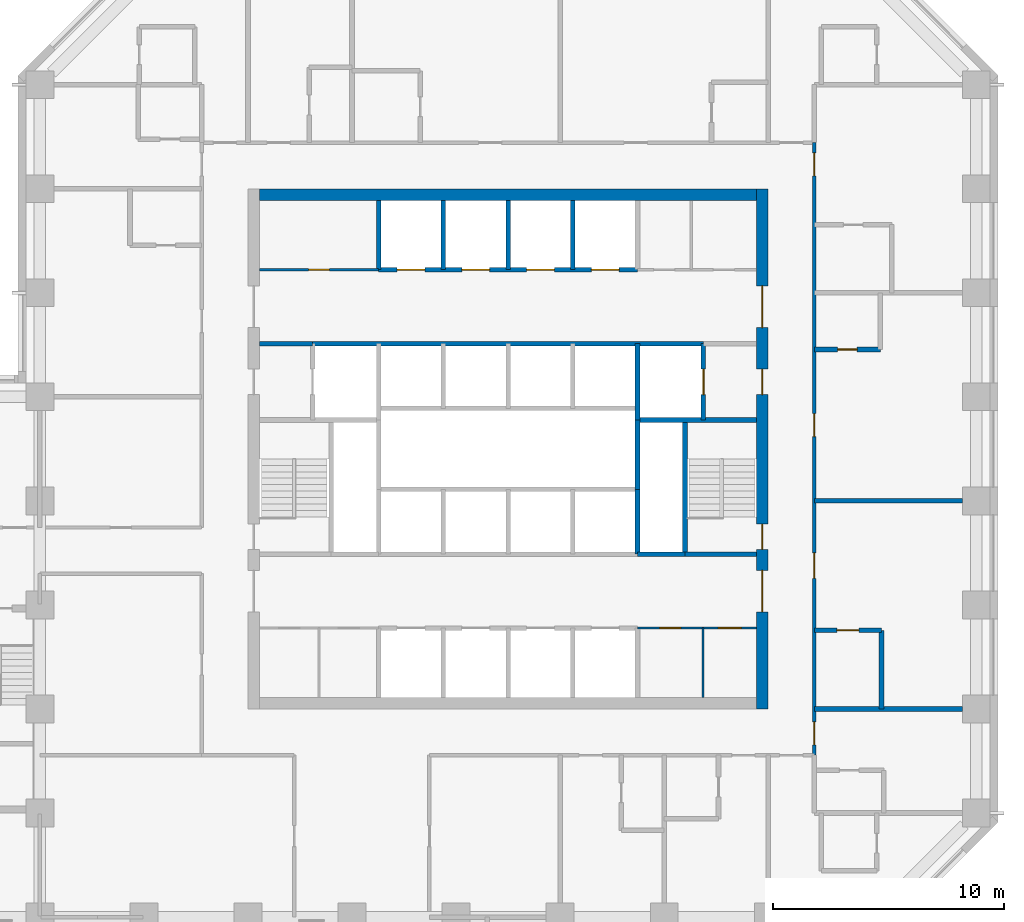
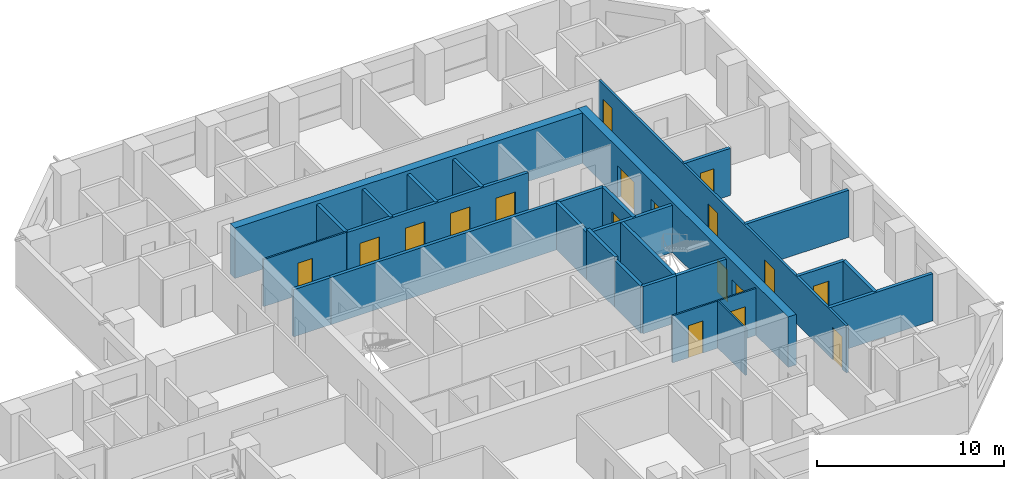
# One storey, part 9 of 13: 26 walls, 18 doors, 18 openings.
"""IFC4 building model written with IfcOpenShell, lengths in metres."""

from ifc_helpers import new_model, si_unit, direction, frame, frame_2d, origin, place, context, subcontext, project, spatial, rectangle, extrude, material, layer, layer_set, type_object, element, fill, save


model = new_model("IFC4")

# Units and contexts
model_context = context("Model", 3, precision=1e-05, world=origin(), true_north=direction((0.0, 1.0)))
body_context = subcontext(model_context, "Body", "Model", "MODEL_VIEW")
ifc_project = project(units=[si_unit("LENGTHUNIT", "METRE"), si_unit("AREAUNIT", "SQUARE_METRE"), si_unit("VOLUMEUNIT", "CUBIC_METRE"), si_unit("PLANEANGLEUNIT", "RADIAN"), si_unit("MASSUNIT", "GRAM", prefix="KILO")], contexts=[model_context])

# Site, building, storey
site_placement = place(None, origin())
site = spatial("IfcSite", under=ifc_project, at=site_placement, CompositionType="ELEMENT")
building_placement = place(site_placement, origin())
building = spatial("IfcBuilding", under=site, at=building_placement, Name="Quoin Convention Tower", CompositionType="ELEMENT")
storey_placement = place(building_placement, frame((0.0, 0.0, 62.699951171875)))
storey = spatial("IfcBuildingStorey", under=building, at=storey_placement, Name="L16", CompositionType="ELEMENT", Elevation=62.699951171875)

# Wall, openings, doors
ifc_material_1 = material(Name="Plasterboard")
ifc_layer_1 = layer(ifc_material_1, 0.012451171875, Name="Finish")
ifc_material_2 = material(Name="Steel stud framing", Category="steel")
ifc_layer_2 = layer(ifc_material_2, 0.074951171875, Name="Structure")
ifc_layer_3 = layer(ifc_material_1, 0.012451171875, Name="Finish")
ifc_layer_set_1 = layer_set([ifc_layer_1, ifc_layer_2, ifc_layer_3], Name="Steel stud framing")
wall_type_1 = type_object("IfcWallType", Name="Core partition wall", PredefinedType="PARTITIONING", material=ifc_layer_set_1)
wall_1_placement = place(storey_placement, frame((61.85009765625, 53.0, 0.0), z_axis=(0.0, 0.0, 1.0), x_axis=(1.0, 0.0, 0.0)))
wall_1 = element("IfcWall", 1, at=wall_1_placement, inside=storey, type_object=wall_type_1, Name="cr-C1-L16-h3500_16850", PredefinedType="PARTITIONING", context=body_context, shape_type="SweptSolid", body=[
    extrude(rectangle(XDim=5.14990234375, YDim=0.10009765625, at=frame_2d((2.574951171875, 0.0))), origin(), (0.0, 0.0, 1.0), 3.080078125),
])
opening_1_placement = place(wall_1_placement, frame((3.4912109375, 0.0, 0.0)))
opening_1 = element("IfcOpeningElement", 2, at=opening_1_placement, cuts=wall_1, Name="Opening DCV0-30", PredefinedType="OPENING", context=body_context, shape_type="SweptSolid", body=[
    extrude(rectangle(XDim=1.0, YDim=2.10009765625, at=frame_2d((0.5, 1.050048828125))), frame((0.0, 0.06005859375, 0.0), z_axis=(0.0, -1.0, 0.0), x_axis=(1.0, 0.0, 0.0)), (0.0, 0.0, 1.0), 0.1201171875),
])
opening_2_placement = place(wall_1_placement, frame((0.96630859375, 0.0, 0.0)))
opening_2 = element("IfcOpeningElement", 3, at=opening_2_placement, cuts=wall_1, Name="Opening DCV0-27", PredefinedType="OPENING", context=body_context, shape_type="SweptSolid", body=[
    extrude(rectangle(XDim=0.89990234375, YDim=2.10009765625, at=frame_2d((0.449951171875, 1.050048828125))), frame((0.0, 0.06005859375, 0.0), z_axis=(0.0, -1.0, 0.0), x_axis=(1.0, 0.0, 0.0)), (0.0, 0.0, 1.0), 0.1201171875),
])
ifc_material_3 = material(Name="Steel door leaf", Category="steel")
door_type_1 = type_object("IfcDoorType", Name="Core room door 1000 x 2100", OperationType="SINGLE_SWING_LEFT", PredefinedType="DOOR", material=ifc_material_3)
door_1_placement = place(opening_1_placement, frame((1.0, 0.0, 0.0), z_axis=(0.0, 0.0, 1.0), x_axis=(-1.0, 0.0, 0.0)))
door_1 = element("IfcDoor", 4, at=door_1_placement, inside=storey, type_object=door_type_1, Name="cd-C1-L16-CSE0-lobA-CD1610", OperationType="SINGLE_SWING_LEFT", OverallHeight=2.10009765625, OverallWidth=1.0, PredefinedType="DOOR", context=body_context, shape_type="SweptSolid", body=[
    extrude(rectangle(XDim=1.0, YDim=2.10009765625, at=frame_2d((0.5, 1.050048828125))), frame((0.0, 0.02490234375, 0.0), z_axis=(0.0, -1.0, 0.0), x_axis=(1.0, 0.0, 0.0)), (0.0, 0.0, 1.0), 0.050048828125),
])
fill(opening_1, door_1)
door_type_2 = type_object("IfcDoorType", Name="Core room door 900 x 2100", OperationType="SINGLE_SWING_LEFT", PredefinedType="DOOR", material=ifc_material_3)
door_2_placement = place(opening_2_placement, frame((0.89990234375, 0.0, 0.0), z_axis=(0.0, 0.0, 1.0), x_axis=(-1.0, 0.0, 0.0)))
door_2 = element("IfcDoor", 5, at=door_2_placement, inside=storey, type_object=door_type_2, Name="cd-C1-L16-CSE1-lobA-CD1611", OperationType="SINGLE_SWING_RIGHT", OverallHeight=2.10009765625, OverallWidth=0.89990234375, PredefinedType="DOOR", context=body_context, shape_type="SweptSolid", body=[
    extrude(rectangle(XDim=0.89990234375, YDim=2.10009765625, at=frame_2d((0.449951171875, 1.050048828125))), frame((0.0, 0.02490234375, 0.0), z_axis=(0.0, -1.0, 0.0), x_axis=(1.0, 0.0, 0.0)), (0.0, 0.0, 1.0), 0.050048828125),
])
fill(opening_2, door_2)

# Wall, opening, door
wall_2_placement = place(storey_placement, frame((45.5, 68.5, 0.0), z_axis=(0.0, 0.0, 1.0), x_axis=(1.0, 0.0, 0.0)))
wall_2 = element("IfcWall", 6, at=wall_2_placement, inside=storey, type_object=wall_type_1, Name="cr-C1-L16-h19000_500", PredefinedType="PARTITIONING", context=body_context, shape_type="SweptSolid", body=[
    extrude(rectangle(XDim=5.14990234375, YDim=0.10009765625, at=frame_2d((2.574951171875, 0.0))), origin(), (0.0, 0.0, 1.0), 3.080078125),
])
opening_3_placement = place(wall_2_placement, frame((2.125, 0.0, 0.0)))
opening_3 = element("IfcOpeningElement", 7, at=opening_3_placement, cuts=wall_2, Name="Opening DCV0-24", PredefinedType="OPENING", context=body_context, shape_type="SweptSolid", body=[
    extrude(rectangle(XDim=0.89990234375, YDim=2.10009765625, at=frame_2d((0.449951171875, 1.050048828125))), frame((0.0, 0.06005859375, 0.0), z_axis=(0.0, -1.0, 0.0), x_axis=(1.0, 0.0, 0.0)), (0.0, 0.0, 1.0), 0.1201171875),
])
door_3_placement = place(opening_3_placement, origin())
door_3 = element("IfcDoor", 8, at=door_3_placement, inside=storey, type_object=door_type_2, Name="cd-C1-L16-CNW0-lobB-CD1609", OperationType="SINGLE_SWING_RIGHT", OverallHeight=2.10009765625, OverallWidth=0.89990234375, PredefinedType="DOOR", context=body_context, shape_type="SweptSolid", body=[
    extrude(rectangle(XDim=0.89990234375, YDim=2.10009765625, at=frame_2d((0.449951171875, 1.050048828125))), frame((0.0, 0.02490234375, 0.0), z_axis=(0.0, -1.0, 0.0), x_axis=(1.0, 0.0, 0.0)), (0.0, 0.0, 1.0), 0.050048828125),
])
fill(opening_3, door_3)

# Walls
wall_3_placement = place(storey_placement, frame((64.6826171875, 50.0, 0.0), z_axis=(0.0, 0.0, 1.0), x_axis=(0.0, 1.0, 0.0)))
element("IfcWall", 9, at=wall_3_placement, inside=storey, type_object=wall_type_1, Name="cr-C1-L16-v19682_500", PredefinedType="PARTITIONING", context=body_context, shape_type="SweptSolid", body=[
    extrude(rectangle(XDim=3.0, YDim=0.10009765625, at=frame_2d((1.5, 0.0))), origin(), (0.0, 0.0, 1.0), 3.080078125),
])
ifc_material_4 = material(Name="Concrete C50", Category="concrete")
ifc_layer_4 = layer(ifc_material_4, 0.199951171875)
ifc_layer_set_2 = layer_set([ifc_layer_4], Name="Concrete C50")
wall_type_2 = type_object("IfcWallType", Name="Core shaft wall", PredefinedType="SOLIDWALL", material=ifc_layer_set_2)
wall_4_placement = place(storey_placement, frame((61.85009765625, 56.199951171875, 0.0), z_axis=(0.0, 0.0, 1.0), x_axis=(1.0, 0.0, 0.0)))
element("IfcWall", 10, at=wall_4_placement, inside=storey, type_object=wall_type_2, Name="cr-C1-L16-h6700_16850", PredefinedType="SOLIDWALL", context=body_context, shape_type="SweptSolid", body=[
    extrude(rectangle(XDim=2.0498046875, YDim=0.199951171875, at=frame_2d((1.02490234375, 0.0))), origin(), (0.0, 0.0, 1.0), 3.080078125),
])
wall_5_placement = place(storey_placement, frame((63.89990234375, 56.199951171875, 0.0), z_axis=(0.0, 0.0, 1.0), x_axis=(1.0, 0.0, 0.0)))
element("IfcWall", 11, at=wall_5_placement, inside=storey, type_object=wall_type_2, Name="cr-C1-L16-h6700_18900", PredefinedType="SOLIDWALL", context=body_context, shape_type="SweptSolid", body=[
    extrude(rectangle(XDim=3.10009765625, YDim=0.199951171875, at=frame_2d((1.550048828125, 0.0))), origin(), (0.0, 0.0, 1.0), 3.080078125),
])
wall_6_placement = place(storey_placement, frame((61.85009765625, 62.0, 0.0), z_axis=(0.0, 0.0, 1.0), x_axis=(1.0, 0.0, 0.0)))
element("IfcWall", 12, at=wall_6_placement, inside=storey, type_object=wall_type_2, Name="cr-C1-L16-h12500_16850", PredefinedType="SOLIDWALL", context=body_context, shape_type="SweptSolid", body=[
    extrude(rectangle(XDim=5.14990234375, YDim=0.199951171875, at=frame_2d((2.574951171875, 0.0))), origin(), (0.0, 0.0, 1.0), 3.080078125),
])
wall_7_placement = place(storey_placement, frame((45.5, 65.300048828125, 0.0), z_axis=(0.0, 0.0, 1.0), x_axis=(1.0, 0.0, 0.0)))
element("IfcWall", 13, at=wall_7_placement, inside=storey, type_object=wall_type_2, Name="cr-C1-L16-h15800_500", PredefinedType="SOLIDWALL", context=body_context, shape_type="SweptSolid", body=[
    extrude(rectangle(XDim=2.300048828125, YDim=0.199951171875, at=frame_2d((1.14990234375, 0.0))), origin(), (0.0, 0.0, 1.0), 3.080078125),
])
wall_8_placement = place(storey_placement, frame((47.800048828125, 65.300048828125, 0.0), z_axis=(0.0, 0.0, 1.0), x_axis=(1.0, 0.0, 0.0)))
element("IfcWall", 14, at=wall_8_placement, inside=storey, type_object=wall_type_2, Name="cr-C1-L16-h15800_2800", PredefinedType="SOLIDWALL", context=body_context, shape_type="SweptSolid", body=[
    extrude(rectangle(XDim=16.89990234375, YDim=0.199951171875, at=frame_2d((8.449951171875, 0.0))), origin(), (0.0, 0.0, 1.0), 3.080078125),
])

# Wall, openings, doors
wall_9_placement = place(storey_placement, frame((50.64990234375, 68.5, 0.0), z_axis=(0.0, 0.0, 1.0), x_axis=(1.0, 0.0, 0.0)))
wall_9 = element("IfcWall", 15, at=wall_9_placement, inside=storey, type_object=wall_type_2, Name="cr-C1-L16-h19000_5650", PredefinedType="SOLIDWALL", context=body_context, shape_type="SweptSolid", body=[
    extrude(rectangle(XDim=11.2001953125, YDim=0.199951171875, at=frame_2d((5.60009765625, 0.0))), origin(), (0.0, 0.0, 1.0), 3.080078125),
])
opening_4_placement = place(wall_9_placement, frame((0.800048828125, 0.0, 0.0)))
opening_4 = element("IfcOpeningElement", 16, at=opening_4_placement, cuts=wall_9, Name="Opening LDL5", PredefinedType="OPENING", context=body_context, shape_type="SweptSolid", body=[
    extrude(rectangle(XDim=1.199951171875, YDim=2.10009765625, at=frame_2d((0.60009765625, 1.050048828125))), frame((0.0, 0.10986328125, 0.0), z_axis=(0.0, -1.0, 0.0), x_axis=(1.0, 0.0, 0.0)), (0.0, 0.0, 1.0), 0.219970703125),
])
opening_5_placement = place(wall_9_placement, frame((3.60009765625, 0.0, 0.0)))
opening_5 = element("IfcOpeningElement", 17, at=opening_5_placement, cuts=wall_9, Name="Opening LDL6", PredefinedType="OPENING", context=body_context, shape_type="SweptSolid", body=[
    extrude(rectangle(XDim=1.199951171875, YDim=2.10009765625, at=frame_2d((0.60009765625, 1.050048828125))), frame((0.0, 0.10986328125, 0.0), z_axis=(0.0, -1.0, 0.0), x_axis=(1.0, 0.0, 0.0)), (0.0, 0.0, 1.0), 0.219970703125),
])
opening_6_placement = place(wall_9_placement, frame((6.39990234375, 0.0, 0.0)))
opening_6 = element("IfcOpeningElement", 18, at=opening_6_placement, cuts=wall_9, Name="Opening LDL7", PredefinedType="OPENING", context=body_context, shape_type="SweptSolid", body=[
    extrude(rectangle(XDim=1.199951171875, YDim=2.10009765625, at=frame_2d((0.60009765625, 1.050048828125))), frame((0.0, 0.10986328125, 0.0), z_axis=(0.0, -1.0, 0.0), x_axis=(1.0, 0.0, 0.0)), (0.0, 0.0, 1.0), 0.219970703125),
])
opening_7_placement = place(wall_9_placement, frame((9.199951171875, 0.0, 0.0)))
opening_7 = element("IfcOpeningElement", 19, at=opening_7_placement, cuts=wall_9, Name="Opening LDL8", PredefinedType="OPENING", context=body_context, shape_type="SweptSolid", body=[
    extrude(rectangle(XDim=1.199951171875, YDim=2.10009765625, at=frame_2d((0.60009765625, 1.050048828125))), frame((0.0, 0.10986328125, 0.0), z_axis=(0.0, -1.0, 0.0), x_axis=(1.0, 0.0, 0.0)), (0.0, 0.0, 1.0), 0.219970703125),
])
door_type_3 = type_object("IfcDoorType", Name="Lift landing door 1200 x 2100", OperationType="DOUBLE_DOOR_SLIDING", PredefinedType="DOOR", material=ifc_material_3)
door_4_placement = place(opening_4_placement, origin())
door_4 = element("IfcDoor", 20, at=door_4_placement, inside=storey, type_object=door_type_3, Name="cd-C1-L16-R40-lobB-LDL5", OperationType="DOUBLE_DOOR_SLIDING", OverallHeight=2.10009765625, OverallWidth=1.199951171875, PredefinedType="DOOR", context=body_context, shape_type="SweptSolid", body=[
    extrude(rectangle(XDim=1.199951171875, YDim=2.10009765625, at=frame_2d((0.60009765625, 1.050048828125))), frame((0.0, 0.02490234375, 0.0), z_axis=(0.0, -1.0, 0.0), x_axis=(1.0, 0.0, 0.0)), (0.0, 0.0, 1.0), 0.050048828125),
])
fill(opening_4, door_4)
door_5_placement = place(opening_5_placement, origin())
door_5 = element("IfcDoor", 21, at=door_5_placement, inside=storey, type_object=door_type_3, Name="cd-C1-L16-R41-lobB-LDL6", OperationType="DOUBLE_DOOR_SLIDING", OverallHeight=2.10009765625, OverallWidth=1.199951171875, PredefinedType="DOOR", context=body_context, shape_type="SweptSolid", body=[
    extrude(rectangle(XDim=1.199951171875, YDim=2.10009765625, at=frame_2d((0.60009765625, 1.050048828125))), frame((0.0, 0.02490234375, 0.0), z_axis=(0.0, -1.0, 0.0), x_axis=(1.0, 0.0, 0.0)), (0.0, 0.0, 1.0), 0.050048828125),
])
fill(opening_5, door_5)
door_6_placement = place(opening_6_placement, origin())
door_6 = element("IfcDoor", 22, at=door_6_placement, inside=storey, type_object=door_type_3, Name="cd-C1-L16-R42-lobB-LDL7", OperationType="DOUBLE_DOOR_SLIDING", OverallHeight=2.10009765625, OverallWidth=1.199951171875, PredefinedType="DOOR", context=body_context, shape_type="SweptSolid", body=[
    extrude(rectangle(XDim=1.199951171875, YDim=2.10009765625, at=frame_2d((0.60009765625, 1.050048828125))), frame((0.0, 0.02490234375, 0.0), z_axis=(0.0, -1.0, 0.0), x_axis=(1.0, 0.0, 0.0)), (0.0, 0.0, 1.0), 0.050048828125),
])
fill(opening_6, door_6)
door_7_placement = place(opening_7_placement, origin())
door_7 = element("IfcDoor", 23, at=door_7_placement, inside=storey, type_object=door_type_3, Name="cd-C1-L16-R43-lobB-LDL8", OperationType="DOUBLE_DOOR_SLIDING", OverallHeight=2.10009765625, OverallWidth=1.199951171875, PredefinedType="DOOR", context=body_context, shape_type="SweptSolid", body=[
    extrude(rectangle(XDim=1.199951171875, YDim=2.10009765625, at=frame_2d((0.60009765625, 1.050048828125))), frame((0.0, 0.02490234375, 0.0), z_axis=(0.0, -1.0, 0.0), x_axis=(1.0, 0.0, 0.0)), (0.0, 0.0, 1.0), 0.050048828125),
])
fill(opening_7, door_7)

# Walls
for number, where, z_axis, x_axis, name in (
    (24, (50.64990234375, 68.5, 0.0), (0.0, 0.0, 1.0), (0.0, 1.0, 0.0), "cr-C1-L16-v5650_19000"),
    (25, (53.449951171875, 68.5, 0.0), (0.0, 0.0, 1.0), (0.0, 1.0, 0.0), "cr-C1-L16-v8450_19000"),
    (26, (56.25, 68.5, 0.0), (0.0, 0.0, 1.0), (0.0, 1.0, 0.0), "cr-C1-L16-v11250_19000"),
    (27, (59.050048828125, 68.5, 0.0), (0.0, 0.0, 1.0), (0.0, 1.0, 0.0), "cr-C1-L16-v14050_19000"),
):
    element("IfcWall", number, at=place(storey_placement, frame(where, z_axis=z_axis, x_axis=x_axis)), inside=storey, type_object=wall_type_2, Name=name, PredefinedType="SOLIDWALL", context=body_context, shape_type="SweptSolid", body=[
        extrude(rectangle(XDim=3.0, YDim=0.199951171875, at=frame_2d((1.5, 0.0))), origin(), (0.0, 0.0, 1.0), 3.080078125),
    ])
wall_10_placement = place(storey_placement, frame((61.85009765625, 56.199951171875, 0.0), z_axis=(0.0, 0.0, 1.0), x_axis=(0.0, 1.0, 0.0)))
element("IfcWall", 28, at=wall_10_placement, inside=storey, type_object=wall_type_2, Name="cr-C1-L16-v16850_6700", PredefinedType="SOLIDWALL", context=body_context, shape_type="SweptSolid", body=[
    extrude(rectangle(XDim=2.800048828125, YDim=0.199951171875, at=frame_2d((1.39990234375, 0.0))), origin(), (0.0, 0.0, 1.0), 3.080078125),
])
wall_11_placement = place(storey_placement, frame((61.85009765625, 62.0, 0.0), z_axis=(0.0, 0.0, 1.0), x_axis=(0.0, 1.0, 0.0)))
element("IfcWall", 29, at=wall_11_placement, inside=storey, type_object=wall_type_2, Name="cr-C1-L16-v16850_12500", PredefinedType="SOLIDWALL", context=body_context, shape_type="SweptSolid", body=[
    extrude(rectangle(XDim=3.300048828125, YDim=0.199951171875, at=frame_2d((1.64990234375, 0.0))), origin(), (0.0, 0.0, 1.0), 3.080078125),
])
wall_12_placement = place(storey_placement, frame((63.89990234375, 56.199951171875, 0.0), z_axis=(0.0, 0.0, 1.0), x_axis=(0.0, 1.0, 0.0)))
element("IfcWall", 30, at=wall_12_placement, inside=storey, type_object=wall_type_2, Name="cr-C1-L16-v18900_6700", PredefinedType="SOLIDWALL", context=body_context, shape_type="SweptSolid", body=[
    extrude(rectangle(XDim=5.800048828125, YDim=0.199951171875, at=frame_2d((2.89990234375, 0.0))), origin(), (0.0, 0.0, 1.0), 3.080078125),
])

# Wall, opening, door
wall_13_placement = place(storey_placement, frame((64.699951171875, 62.0, 0.0), z_axis=(0.0, 0.0, 1.0), x_axis=(0.0, 1.0, 0.0)))
wall_13 = element("IfcWall", 31, at=wall_13_placement, inside=storey, type_object=wall_type_2, Name="cr-C1-L16-v19700_12500", PredefinedType="SOLIDWALL", context=body_context, shape_type="SweptSolid", body=[
    extrude(rectangle(XDim=3.300048828125, YDim=0.199951171875, at=frame_2d((1.64990234375, 0.0))), origin(), (0.0, 0.0, 1.0), 3.080078125),
])
opening_8_placement = place(wall_13_placement, frame((1.10009765625, 0.0, 0.0)))
opening_8 = element("IfcOpeningElement", 32, at=opening_8_placement, cuts=wall_13, Name="Opening LDFL2", PredefinedType="OPENING", context=body_context, shape_type="SweptSolid", body=[
    extrude(rectangle(XDim=1.10009765625, YDim=2.10009765625, at=frame_2d((0.550048828125, 1.050048828125))), frame((0.0, 0.10986328125, 0.0), z_axis=(0.0, -1.0, 0.0), x_axis=(1.0, 0.0, 0.0)), (0.0, 0.0, 1.0), 0.219970703125),
])
door_type_4 = type_object("IfcDoorType", Name="Lift landing door 1100 x 2100", OperationType="DOUBLE_DOOR_SLIDING", PredefinedType="DOOR", material=ifc_material_3)
door_8_placement = place(opening_8_placement, origin())
door_8 = element("IfcDoor", 33, at=door_8_placement, inside=storey, type_object=door_type_4, Name="cd-C1-L16-FLE-FFE-LDFL2", OperationType="DOUBLE_DOOR_SLIDING", OverallHeight=2.10009765625, OverallWidth=1.10009765625, PredefinedType="DOOR", context=body_context, shape_type="SweptSolid", body=[
    extrude(rectangle(XDim=1.10009765625, YDim=2.10009765625, at=frame_2d((0.550048828125, 1.050048828125))), frame((0.0, 0.02490234375, 0.0), z_axis=(0.0, -1.0, 0.0), x_axis=(1.0, 0.0, 0.0)), (0.0, 0.0, 1.0), 0.050048828125),
])
fill(opening_8, door_8)

# Walls
ifc_layer_5 = layer(ifc_material_4, 0.199951171875)
ifc_layer_set_3 = layer_set([ifc_layer_5], Name="Concrete C50")
wall_type_3 = type_object("IfcWallType", Name="Core shaft wall to the floor level over", PredefinedType="SOLIDWALL", material=ifc_layer_set_3)
wall_14_placement = place(storey_placement, frame((61.85009765625, 59.0, 0.0), z_axis=(0.0, 0.0, 1.0), x_axis=(0.0, 1.0, 0.0)))
element("IfcWall", 34, at=wall_14_placement, inside=storey, type_object=wall_type_3, Name="cr-C1-L16-v16850_9500", PredefinedType="SOLIDWALL", context=body_context, shape_type="SweptSolid", body=[
    extrude(rectangle(XDim=3.0, YDim=0.199951171875, at=frame_2d((1.5, 0.0))), origin(), (0.0, 0.0, 1.0), 3.300048828125),
])
ifc_material_5 = material(Name="Concrete C80", Category="concrete")
ifc_layer_6 = layer(ifc_material_5, 0.5)
ifc_layer_set_4 = layer_set([ifc_layer_6], Name="Concrete C80")
wall_type_4 = type_object("IfcWallType", Name="RC CORE WALL 500 C80", PredefinedType="SHEAR", material=ifc_layer_set_4)
wall_15_placement = place(storey_placement, frame((45.5, 71.75, 0.0), z_axis=(0.0, 0.0, 1.0), x_axis=(1.0, 0.0, 0.0)))
element("IfcWall", 35, at=wall_15_placement, inside=storey, type_object=wall_type_4, Name="cwl-C1-L16-N", PredefinedType="SHEAR", context=body_context, shape_type="SweptSolid", body=[
    extrude(rectangle(XDim=21.5, YDim=0.5, at=frame_2d((10.75, 0.0))), origin(), (0.0, 0.0, 1.0), 3.300048828125),
])

# Wall, openings, doors
wall_16_placement = place(storey_placement, frame((67.25, 49.5, 0.0), z_axis=(0.0, 0.0, 1.0), x_axis=(0.0, 1.0, 0.0)))
wall_16 = element("IfcWall", 36, at=wall_16_placement, inside=storey, type_object=wall_type_4, Name="cwl-C1-L16-E", PredefinedType="SHEAR", context=body_context, shape_type="SweptSolid", body=[
    extrude(rectangle(XDim=22.5, YDim=0.5, at=frame_2d((11.25, 0.0))), origin(), (0.0, 0.0, 1.0), 3.300048828125),
])
opening_9_placement = place(wall_16_placement, frame((4.199951171875, 0.0, 0.0)))
opening_9 = element("IfcOpeningElement", 37, at=opening_9_placement, cuts=wall_16, Name="Opening DCV0-57", PredefinedType="OPENING", context=body_context, shape_type="SweptSolid", body=[
    extrude(rectangle(XDim=1.800048828125, YDim=2.10009765625, at=frame_2d((0.89990234375, 1.050048828125))), frame((0.0, 0.260009765625, 0.0), z_axis=(0.0, -1.0, 0.0), x_axis=(1.0, 0.0, 0.0)), (0.0, 0.0, 1.0), 0.52001953125),
])
opening_10_placement = place(wall_16_placement, frame((6.89990234375, 0.0, 0.0)))
opening_10 = element("IfcOpeningElement", 38, at=opening_10_placement, cuts=wall_16, Name="Opening SD2", PredefinedType="OPENING", context=body_context, shape_type="SweptSolid", body=[
    extrude(rectangle(XDim=1.10009765625, YDim=2.10009765625, at=frame_2d((0.550048828125, 1.050048828125))), frame((0.0, 0.260009765625, 0.0), z_axis=(0.0, -1.0, 0.0), x_axis=(1.0, 0.0, 0.0)), (0.0, 0.0, 1.0), 0.52001953125),
])
opening_11_placement = place(wall_16_placement, frame((13.60009765625, 0.0, 0.0)))
opening_11 = element("IfcOpeningElement", 39, at=opening_11_placement, cuts=wall_16, Name="Opening DCV0-56", PredefinedType="OPENING", context=body_context, shape_type="SweptSolid", body=[
    extrude(rectangle(XDim=1.10009765625, YDim=2.10009765625, at=frame_2d((0.550048828125, 1.050048828125))), frame((0.0, 0.260009765625, 0.0), z_axis=(0.0, -1.0, 0.0), x_axis=(1.0, 0.0, 0.0)), (0.0, 0.0, 1.0), 0.52001953125),
])
opening_12_placement = place(wall_16_placement, frame((16.5, 0.0, 0.0)))
opening_12 = element("IfcOpeningElement", 40, at=opening_12_placement, cuts=wall_16, Name="Opening DCV0-57", PredefinedType="OPENING", context=body_context, shape_type="SweptSolid", body=[
    extrude(rectangle(XDim=1.800048828125, YDim=2.10009765625, at=frame_2d((0.89990234375, 1.050048828125))), frame((0.0, 0.260009765625, 0.0), z_axis=(0.0, -1.0, 0.0), x_axis=(1.0, 0.0, 0.0)), (0.0, 0.0, 1.0), 0.52001953125),
])
door_type_5 = type_object("IfcDoorType", Name="Fire-fighting lobby door 1100 x 2100", OperationType="SINGLE_SWING_LEFT", PredefinedType="DOOR", material=ifc_material_3)
door_9_placement = place(opening_11_placement, origin())
door_9 = element("IfcDoor", 41, at=door_9_placement, inside=storey, type_object=door_type_5, Name="cd-C1-L16-FFE-E", OperationType="SINGLE_SWING_RIGHT", OverallHeight=2.10009765625, OverallWidth=1.10009765625, PredefinedType="DOOR", context=body_context, shape_type="SweptSolid", body=[
    extrude(rectangle(XDim=1.10009765625, YDim=2.10009765625, at=frame_2d((0.550048828125, 1.050048828125))), frame((0.0, 0.02490234375, 0.0), z_axis=(0.0, -1.0, 0.0), x_axis=(1.0, 0.0, 0.0)), (0.0, 0.0, 1.0), 0.050048828125),
])
fill(opening_11, door_9)
door_type_6 = type_object("IfcDoorType", Name="Lift lobby door 1800 x 2100", OperationType="SINGLE_SWING_LEFT", PredefinedType="DOOR", material=ifc_material_3)
door_10_placement = place(opening_9_placement, origin())
door_10 = element("IfcDoor", 42, at=door_10_placement, inside=storey, type_object=door_type_6, Name="cd-C1-L16-lobA-E", OperationType="SINGLE_SWING_RIGHT", OverallHeight=2.10009765625, OverallWidth=1.800048828125, PredefinedType="DOOR", context=body_context, shape_type="SweptSolid", body=[
    extrude(rectangle(XDim=1.800048828125, YDim=2.10009765625, at=frame_2d((0.89990234375, 1.050048828125))), frame((0.0, 0.02490234375, 0.0), z_axis=(0.0, -1.0, 0.0), x_axis=(1.0, 0.0, 0.0)), (0.0, 0.0, 1.0), 0.050048828125),
])
fill(opening_9, door_10)
door_11_placement = place(opening_12_placement, origin())
door_11 = element("IfcDoor", 43, at=door_11_placement, inside=storey, type_object=door_type_6, Name="cd-C1-L16-lobB-E", OperationType="SINGLE_SWING_RIGHT", OverallHeight=2.10009765625, OverallWidth=1.800048828125, PredefinedType="DOOR", context=body_context, shape_type="SweptSolid", body=[
    extrude(rectangle(XDim=1.800048828125, YDim=2.10009765625, at=frame_2d((0.89990234375, 1.050048828125))), frame((0.0, 0.02490234375, 0.0), z_axis=(0.0, -1.0, 0.0), x_axis=(1.0, 0.0, 0.0)), (0.0, 0.0, 1.0), 0.050048828125),
])
fill(opening_12, door_11)
door_type_7 = type_object("IfcDoorType", Name="Stair door 1100 x 2100", OperationType="SINGLE_SWING_RIGHT", PredefinedType="DOOR", material=ifc_material_3)
door_12_placement = place(opening_10_placement, origin())
door_12 = element("IfcDoor", 44, at=door_12_placement, inside=storey, type_object=door_type_7, Name="cd-C1-L16-STE-E", OperationType="SINGLE_SWING_LEFT", OverallHeight=2.10009765625, OverallWidth=1.10009765625, PredefinedType="DOOR", context=body_context, shape_type="SweptSolid", body=[
    extrude(rectangle(XDim=1.10009765625, YDim=2.10009765625, at=frame_2d((0.550048828125, 1.050048828125))), frame((0.0, 0.02490234375, 0.0), z_axis=(0.0, -1.0, 0.0), x_axis=(1.0, 0.0, 0.0)), (0.0, 0.0, 1.0), 0.050048828125),
])
fill(opening_10, door_12)

# Walls
ifc_layer_7 = layer(ifc_material_4, 0.199951171875)
ifc_layer_set_5 = layer_set([ifc_layer_7], Name="Concrete C50")
wall_type_5 = type_object("IfcWallType", Name="RC party wall", PredefinedType="SOLIDWALL", material=ifc_layer_set_5)
wall_17_placement = place(storey_placement, frame((69.5, 49.5, 0.0), z_axis=(0.0, 0.0, 1.0), x_axis=(1.0, 0.0, 0.0)))
element("IfcWall", 45, at=wall_17_placement, inside=storey, type_object=wall_type_5, Name="pw-L16-090", PredefinedType="SOLIDWALL", context=body_context, shape_type="SweptSolid", body=[
    extrude(rectangle(XDim=6.39990234375, YDim=0.199951171875, at=frame_2d((3.199951171875, 0.0))), origin(), (0.0, 0.0, 1.0), 3.080078125),
])
wall_18_placement = place(storey_placement, frame((72.39990234375, 49.5, 0.0), z_axis=(0.0, 0.0, 1.0), x_axis=(0.0, 1.0, 0.0)))
element("IfcWall", 46, at=wall_18_placement, inside=storey, type_object=wall_type_5, Name="pw-L16-091", PredefinedType="SOLIDWALL", context=body_context, shape_type="SweptSolid", body=[
    extrude(rectangle(XDim=3.39990234375, YDim=0.199951171875, at=frame_2d((1.699951171875, 0.0))), origin(), (0.0, 0.0, 1.0), 3.080078125),
])

# Wall, opening, door
wall_19_placement = place(storey_placement, frame((69.5, 52.89990234375, 0.0), z_axis=(0.0, 0.0, 1.0), x_axis=(1.0, 0.0, 0.0)))
wall_19 = element("IfcWall", 47, at=wall_19_placement, inside=storey, type_object=wall_type_5, Name="pw-L16-093", PredefinedType="SOLIDWALL", context=body_context, shape_type="SweptSolid", body=[
    extrude(rectangle(XDim=2.89990234375, YDim=0.199951171875, at=frame_2d((1.449951171875, 0.0))), origin(), (0.0, 0.0, 1.0), 3.080078125),
])
opening_13_placement = place(wall_19_placement, frame((0.97509765625, 0.0, 0.0)))
opening_13 = element("IfcOpeningElement", 48, at=opening_13_placement, cuts=wall_19, Name="Opening DHOTEL-E-51", PredefinedType="OPENING", context=body_context, shape_type="SweptSolid", body=[
    extrude(rectangle(XDim=0.949951171875, YDim=2.10009765625, at=frame_2d((0.47509765625, 1.050048828125))), frame((0.0, 0.10986328125, 0.0), z_axis=(0.0, -1.0, 0.0), x_axis=(1.0, 0.0, 0.0)), (0.0, 0.0, 1.0), 0.219970703125),
])
door_type_8 = type_object("IfcDoorType", Name="Accessible bathroom door", OperationType="SINGLE_SWING_LEFT", PredefinedType="DOOR", material=ifc_material_3)
door_13_placement = place(opening_13_placement, origin())
door_13 = element("IfcDoor", 49, at=door_13_placement, inside=storey, type_object=door_type_8, Name="dr-L16-042", OperationType="SINGLE_SWING_LEFT", OverallHeight=2.10009765625, OverallWidth=0.949951171875, PredefinedType="DOOR", context=body_context, shape_type="SweptSolid", body=[
    extrude(rectangle(XDim=0.949951171875, YDim=2.10009765625, at=frame_2d((0.47509765625, 1.050048828125))), frame((0.0, 0.02490234375, 0.0), z_axis=(0.0, -1.0, 0.0), x_axis=(1.0, 0.0, 0.0)), (0.0, 0.0, 1.0), 0.050048828125),
])
fill(opening_13, door_13)

# Wall
wall_20_placement = place(storey_placement, frame((69.5, 58.5, 0.0), z_axis=(0.0, 0.0, 1.0), x_axis=(1.0, 0.0, 0.0)))
element("IfcWall", 50, at=wall_20_placement, inside=storey, type_object=wall_type_5, Name="pw-L16-104", PredefinedType="SOLIDWALL", context=body_context, shape_type="SweptSolid", body=[
    extrude(rectangle(XDim=6.39990234375, YDim=0.199951171875, at=frame_2d((3.199951171875, 0.0))), origin(), (0.0, 0.0, 1.0), 3.080078125),
])

# Wall, opening, door
wall_21_placement = place(storey_placement, frame((69.5, 65.050048828125, 0.0), z_axis=(0.0, 0.0, 1.0), x_axis=(1.0, 0.0, 0.0)))
wall_21 = element("IfcWall", 51, at=wall_21_placement, inside=storey, type_object=wall_type_5, Name="pw-L16-109", PredefinedType="SOLIDWALL", context=body_context, shape_type="SweptSolid", body=[
    extrude(rectangle(XDim=2.85009765625, YDim=0.199951171875, at=frame_2d((1.425048828125, 0.0))), origin(), (0.0, 0.0, 1.0), 3.080078125),
])
opening_14_placement = place(wall_21_placement, frame((1.0, 0.0, 0.0)))
opening_14 = element("IfcOpeningElement", 52, at=opening_14_placement, cuts=wall_21, Name="Opening DHOTEL-E-54", PredefinedType="OPENING", context=body_context, shape_type="SweptSolid", body=[
    extrude(rectangle(XDim=0.85009765625, YDim=2.10009765625, at=frame_2d((0.425048828125, 1.050048828125))), frame((0.0, 0.10986328125, 0.0), z_axis=(0.0, -1.0, 0.0), x_axis=(1.0, 0.0, 0.0)), (0.0, 0.0, 1.0), 0.219970703125),
])
door_type_9 = type_object("IfcDoorType", Name="Bathroom door", OperationType="SINGLE_SWING_LEFT", PredefinedType="DOOR", material=ifc_material_3)
door_14_placement = place(opening_14_placement, frame((0.85009765625, 0.0, 0.0), z_axis=(0.0, 0.0, 1.0), x_axis=(-1.0, 0.0, 0.0)))
door_14 = element("IfcDoor", 53, at=door_14_placement, inside=storey, type_object=door_type_9, Name="dr-L16-040", OperationType="SINGLE_SWING_RIGHT", OverallHeight=2.10009765625, OverallWidth=0.85009765625, PredefinedType="DOOR", context=body_context, shape_type="SweptSolid", body=[
    extrude(rectangle(XDim=0.85009765625, YDim=2.10009765625, at=frame_2d((0.425048828125, 1.050048828125))), frame((0.0, 0.02490234375, 0.0), z_axis=(0.0, -1.0, 0.0), x_axis=(1.0, 0.0, 0.0)), (0.0, 0.0, 1.0), 0.050048828125),
])
fill(opening_14, door_14)

# Wall, openings, doors
ifc_layer_8 = layer(ifc_material_1, 0.012451171875, Name="Finish")
ifc_layer_9 = layer(ifc_material_2, 0.125, Name="Structure")
ifc_layer_10 = layer(ifc_material_1, 0.012451171875, Name="Finish")
ifc_layer_set_6 = layer_set([ifc_layer_8, ifc_layer_9, ifc_layer_10], Name="Steel stud framing")
wall_type_6 = type_object("IfcWallType", Name="corridor partition", PredefinedType="PARTITIONING", material=ifc_layer_set_6)
wall_22_placement = place(storey_placement, frame((69.5, 47.5, 0.0), z_axis=(0.0, 0.0, 1.0), x_axis=(0.0, 1.0, 0.0)))
wall_22 = element("IfcWall", 54, at=wall_22_placement, inside=storey, type_object=wall_type_6, Name="pw-L16-031", PredefinedType="PARTITIONING", context=body_context, shape_type="SweptSolid", body=[
    extrude(rectangle(XDim=26.5, YDim=0.14990234375, at=frame_2d((13.25, 0.0))), origin(), (0.0, 0.0, 1.0), 3.080078125),
])
opening_15_placement = place(wall_22_placement, frame((25.052978515625, 0.0, 0.0)))
opening_15 = element("IfcOpeningElement", 55, at=opening_15_placement, cuts=wall_22, Name="Opening DHOTEL-E-26", PredefinedType="OPENING", context=body_context, shape_type="SweptSolid", body=[
    extrude(rectangle(XDim=1.0, YDim=2.10009765625, at=frame_2d((0.5, 1.050048828125))), frame((0.0, 0.0849609375, 0.0), z_axis=(0.0, -1.0, 0.0), x_axis=(1.0, 0.0, 0.0)), (0.0, 0.0, 1.0), 0.169921875),
])
opening_16_placement = place(wall_22_placement, frame((13.77490234375, 0.0, 0.0)))
opening_16 = element("IfcOpeningElement", 56, at=opening_16_placement, cuts=wall_22, Name="Opening DHOTEL-E-25", PredefinedType="OPENING", context=body_context, shape_type="SweptSolid", body=[
    extrude(rectangle(XDim=1.0, YDim=2.10009765625, at=frame_2d((0.5, 1.050048828125))), frame((0.0, 0.0849609375, 0.0), z_axis=(0.0, -1.0, 0.0), x_axis=(1.0, 0.0, 0.0)), (0.0, 0.0, 1.0), 0.169921875),
])
opening_17_placement = place(wall_22_placement, frame((7.64990234375, 0.0, 0.0)))
opening_17 = element("IfcOpeningElement", 57, at=opening_17_placement, cuts=wall_22, Name="Opening DHOTEL-E-24", PredefinedType="OPENING", context=body_context, shape_type="SweptSolid", body=[
    extrude(rectangle(XDim=1.10009765625, YDim=2.10009765625, at=frame_2d((0.550048828125, 1.050048828125))), frame((0.0, 0.0849609375, 0.0), z_axis=(0.0, -1.0, 0.0), x_axis=(1.0, 0.0, 0.0)), (0.0, 0.0, 1.0), 0.169921875),
])
opening_18_placement = place(wall_22_placement, frame((0.447021484375, 0.0, 0.0)))
opening_18 = element("IfcOpeningElement", 58, at=opening_18_placement, cuts=wall_22, Name="Opening DHOTEL-E-23", PredefinedType="OPENING", context=body_context, shape_type="SweptSolid", body=[
    extrude(rectangle(XDim=1.0, YDim=2.10009765625, at=frame_2d((0.5, 1.050048828125))), frame((0.0, 0.0849609375, 0.0), z_axis=(0.0, -1.0, 0.0), x_axis=(1.0, 0.0, 0.0)), (0.0, 0.0, 1.0), 0.169921875),
])
door_type_10 = type_object("IfcDoorType", Name="Accessible room door", OperationType="SINGLE_SWING_LEFT", PredefinedType="DOOR", material=ifc_material_3)
door_15_placement = place(opening_17_placement, frame((1.10009765625, 0.0, 0.0), z_axis=(0.0, 0.0, 1.0), x_axis=(-1.0, 0.0, 0.0)))
door_15 = element("IfcDoor", 59, at=door_15_placement, inside=storey, type_object=door_type_10, Name="dr-L16-041", OperationType="SINGLE_SWING_LEFT", OverallHeight=2.10009765625, OverallWidth=1.10009765625, PredefinedType="DOOR", context=body_context, shape_type="SweptSolid", body=[
    extrude(rectangle(XDim=1.10009765625, YDim=2.10009765625, at=frame_2d((0.550048828125, 1.050048828125))), frame((0.0, 0.02490234375, 0.0), z_axis=(0.0, -1.0, 0.0), x_axis=(1.0, 0.0, 0.0)), (0.0, 0.0, 1.0), 0.050048828125),
])
fill(opening_17, door_15)
door_type_11 = type_object("IfcDoorType", Name="Hotel room door", OperationType="SINGLE_SWING_LEFT", PredefinedType="DOOR", material=ifc_material_3)
door_16_placement = place(opening_15_placement, frame((1.0, 0.0, 0.0), z_axis=(0.0, 0.0, 1.0), x_axis=(-1.0, 0.0, 0.0)))
door_16 = element("IfcDoor", 60, at=door_16_placement, inside=storey, type_object=door_type_11, Name="dr-L16-037", OperationType="SINGLE_SWING_LEFT", OverallHeight=2.10009765625, OverallWidth=1.0, PredefinedType="DOOR", context=body_context, shape_type="SweptSolid", body=[
    extrude(rectangle(XDim=1.0, YDim=2.10009765625, at=frame_2d((0.5, 1.050048828125))), frame((0.0, 0.02490234375, 0.0), z_axis=(0.0, -1.0, 0.0), x_axis=(1.0, 0.0, 0.0)), (0.0, 0.0, 1.0), 0.050048828125),
])
fill(opening_15, door_16)
door_17_placement = place(opening_16_placement, frame((1.0, 0.0, 0.0), z_axis=(0.0, 0.0, 1.0), x_axis=(-1.0, 0.0, 0.0)))
door_17 = element("IfcDoor", 61, at=door_17_placement, inside=storey, type_object=door_type_11, Name="dr-L16-039", OperationType="SINGLE_SWING_LEFT", OverallHeight=2.10009765625, OverallWidth=1.0, PredefinedType="DOOR", context=body_context, shape_type="SweptSolid", body=[
    extrude(rectangle(XDim=1.0, YDim=2.10009765625, at=frame_2d((0.5, 1.050048828125))), frame((0.0, 0.02490234375, 0.0), z_axis=(0.0, -1.0, 0.0), x_axis=(1.0, 0.0, 0.0)), (0.0, 0.0, 1.0), 0.050048828125),
])
fill(opening_16, door_17)
door_18_placement = place(opening_18_placement, frame((1.0, 0.0, 0.0), z_axis=(0.0, 0.0, 1.0), x_axis=(-1.0, 0.0, 0.0)))
door_18 = element("IfcDoor", 62, at=door_18_placement, inside=storey, type_object=door_type_11, Name="dr-L16-043", OperationType="SINGLE_SWING_LEFT", OverallHeight=2.10009765625, OverallWidth=1.0, PredefinedType="DOOR", context=body_context, shape_type="SweptSolid", body=[
    extrude(rectangle(XDim=1.0, YDim=2.10009765625, at=frame_2d((0.5, 1.050048828125))), frame((0.0, 0.02490234375, 0.0), z_axis=(0.0, -1.0, 0.0), x_axis=(1.0, 0.0, 0.0)), (0.0, 0.0, 1.0), 0.050048828125),
])
fill(opening_18, door_18)

save(model, "model.ifc")
